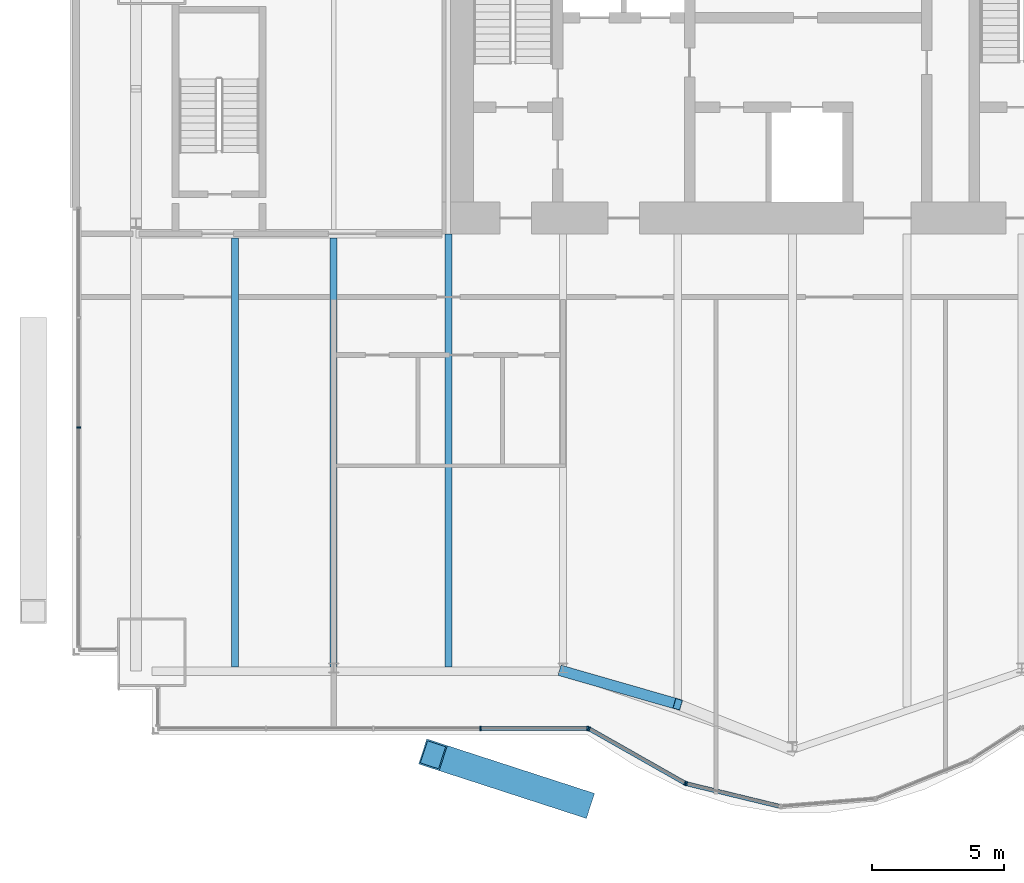
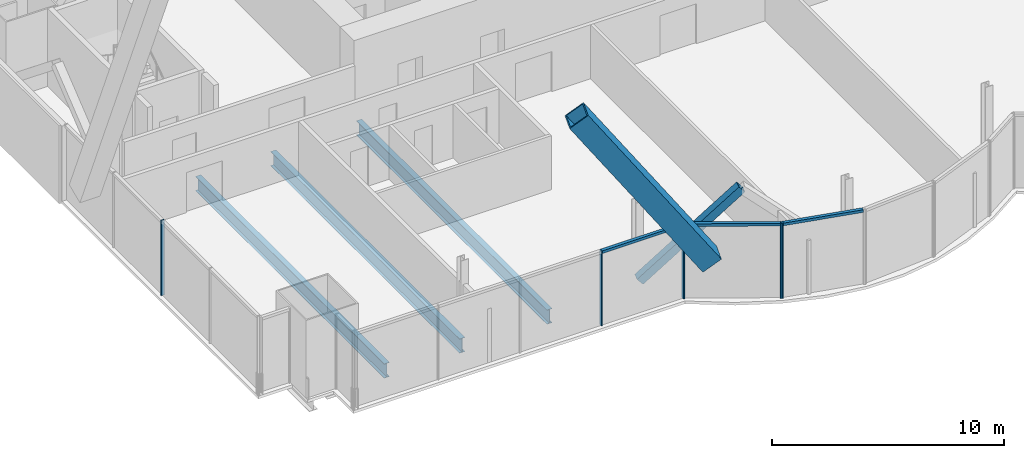
# One storey, part 7 of 24: 11 members, 3 beams, 3 elements without a shape of their own.
"""IFC4 building model written with IfcOpenShell, lengths in metres."""

import ifcopenshell
import ifcopenshell.guid

model = None  # the IFC model being written
_history = None  # IfcOwnerHistory: only IFC2X3 demands one
_inside = {}  # id of a spatial element -> (the spatial element, [elements in it])
_under = {}  # id of a project, library or spatial element -> (it, [spatial elements below it])
_declared = {}  # id of a project -> (the project, [libraries it declares])
_typed = {}  # id of a type object -> (the type object, [elements of that type])
_made_of = {}  # id of a material, layer set ... -> (it, [elements and type objects made of it])


def new_model(schema):
    """Start an empty IFC model of exactly this schema.

    Asked for "IFC4X3", IfcOpenShell would pick the latest addendum, in which some entities
    have other attributes; the version numbers below select the first issue.
    IFC2X3 requires an IfcOwnerHistory on every rooted entity: one is made here for all.
    """
    global model, _history
    if schema == "IFC4X3":
        model = ifcopenshell.file(schema_version=(4, 3, 0, 0))
    else:
        model = ifcopenshell.file(schema=schema)
    _inside.clear()
    _under.clear()
    _declared.clear()
    _typed.clear()
    _made_of.clear()
    _history = None
    if model.schema == "IFC2X3":
        org = make("IfcOrganization", Name="unknown")
        user = make(
            "IfcPersonAndOrganization",
            ThePerson=make("IfcPerson", FamilyName="unknown"),
            TheOrganization=org,
        )
        app = make(
            "IfcApplication",
            ApplicationDeveloper=org,
            Version="unknown",
            ApplicationFullName="unknown",
            ApplicationIdentifier="unknown",
        )
        _history = make(
            "IfcOwnerHistory",
            OwningUser=user,
            OwningApplication=app,
            ChangeAction="ADDED",
            CreationDate=0,
        )
    return model


def make(cls, **values):
    """One entity of the class cls with the attributes given. An attribute that is None is left unset."""
    return model.create_entity(
        cls, **{name: value for name, value in values.items() if value is not None}
    )


def rooted(cls, **values):
    """An entity with a GlobalId (a new one), such as an element, a storey or a relation."""
    return make(cls, GlobalId=ifcopenshell.guid.new(), OwnerHistory=_history, **values)


def si_unit(unit_type, name, prefix=None):
    """IfcSIUnit, for example si_unit("LENGTHUNIT", "METRE", prefix="MILLI")."""
    return make("IfcSIUnit", UnitType=unit_type, Prefix=prefix, Name=name)


def assignment(units):
    """IfcUnitAssignment: the units of a project."""
    return None if units is None else make("IfcUnitAssignment", Units=units)


def point(xyz):
    """IfcCartesianPoint."""
    return None if xyz is None else make("IfcCartesianPoint", Coordinates=xyz)


def direction(xyz):
    """IfcDirection."""
    return None if xyz is None else make("IfcDirection", DirectionRatios=xyz)


def frame(location, z_axis=None, x_axis=None):
    """IfcAxis2Placement3D, a coordinate frame: its origin and axes. An axis left out is left unset."""
    return make(
        "IfcAxis2Placement3D",
        Location=point(location),
        Axis=direction(z_axis),
        RefDirection=direction(x_axis),
    )


def frame_2d(location, x_axis=None):
    """IfcAxis2Placement2D, a coordinate frame in the plane: its origin and x axis."""
    return make(
        "IfcAxis2Placement2D", Location=point(location), RefDirection=direction(x_axis)
    )


def origin():
    """The frame at (0, 0, 0) with its axes left unset."""
    return frame((0.0, 0.0, 0.0))


def origin_2d():
    """The frame at (0, 0) in the plane with its x axis left unset."""
    return frame_2d((0.0, 0.0))


def place(relative_to, where):
    """IfcLocalPlacement: puts the frame where relative to a parent placement (None: the world)."""
    return make(
        "IfcLocalPlacement", PlacementRelTo=relative_to, RelativePlacement=where
    )


def context(
    kind, dimensions, precision=None, world=None, true_north=None, identifier=None
):
    """IfcGeometricRepresentationContext, for example the 3D "Model" context."""
    return make(
        "IfcGeometricRepresentationContext",
        ContextIdentifier=identifier,
        ContextType=kind,
        CoordinateSpaceDimension=dimensions,
        Precision=precision,
        WorldCoordinateSystem=world,
        TrueNorth=true_north,
    )


def subcontext(parent, identifier, kind, view, scale=None):
    """IfcGeometricRepresentationSubContext, for example "Body" below "Model"."""
    return make(
        "IfcGeometricRepresentationSubContext",
        ContextIdentifier=identifier,
        ContextType=kind,
        ParentContext=parent,
        TargetScale=scale,
        TargetView=view,
    )


def project(units=None, contexts=None):
    """IfcProject with its units and contexts."""
    return rooted(
        "IfcProject",
        Name="project",
        RepresentationContexts=contexts,
        UnitsInContext=assignment(units),
    )


def spatial(cls, under=None, at=None, **own):
    """A site, building, storey or space (cls), placed at a placement, below another one or the project."""
    s = rooted(cls, ObjectPlacement=at, **own)
    if under is not None:
        _under.setdefault(under.id(), (under, []))[1].append(s)
    return s


def profile(cls, at=None, kind="AREA", **sizes):
    """A parametric profile (cls). Its sizes go by their IFC names, for example OverallWidth=200.0."""
    return make(cls, ProfileType=kind, Position=at, **sizes)


def rectangle(**sizes):
    """IfcRectangleProfileDef."""
    return profile("IfcRectangleProfileDef", **sizes)


def hollow_rectangle(**sizes):
    """IfcRectangleHollowProfileDef."""
    return profile("IfcRectangleHollowProfileDef", **sizes)


def i_section(**sizes):
    """IfcIShapeProfileDef."""
    return profile("IfcIShapeProfileDef", **sizes)


def extrude(swept, where, along, depth):
    """IfcExtrudedAreaSolid: the profile swept, set in the frame where, extruded along a direction by depth."""
    return make(
        "IfcExtrudedAreaSolid",
        SweptArea=swept,
        Position=where,
        ExtrudedDirection=direction(along),
        Depth=depth,
    )


def shape(context_of_items, identifier, shape_type, items):
    """IfcShapeRepresentation: the items that make up one representation, for example the "Body"."""
    return make(
        "IfcShapeRepresentation",
        ContextOfItems=context_of_items,
        RepresentationIdentifier=identifier,
        RepresentationType=shape_type,
        Items=items,
    )


def material(Name=None, Category=None):
    """IfcMaterial."""
    return make("IfcMaterial", Name=Name, Category=Category)


def material_profile(
    of_material, cross_section, Name=None, Category=None, Priority=None
):
    """IfcMaterialProfile: a cross section and its material."""
    return make(
        "IfcMaterialProfile",
        Name=Name,
        Material=of_material,
        Profile=cross_section,
        Priority=Priority,
        Category=Category,
    )


def profile_set(profiles, Name=None, composite=None):
    """IfcMaterialProfileSet."""
    return make(
        "IfcMaterialProfileSet",
        Name=Name,
        MaterialProfiles=profiles,
        CompositeProfile=composite,
    )


def made_of(thing, what):
    """Note that an element or type object is made of a material, layer set ...; save() writes the relation."""
    if what is not None:
        _made_of.setdefault(what.id(), (what, []))[1].append(thing)
    return thing


def type_object(cls, material=None, **own):
    """A type object (cls), such as IfcWallType, which elements share."""
    return made_of(rooted(cls, **own), material)


def element(
    cls,
    number,
    at=None,
    inside=None,
    cuts=None,
    type_object=None,
    material=None,
    context=None,
    identifier="Body",
    shape_type=None,
    held_by="IfcProductDefinitionShape",
    body=None,
    shapes=None,
    **own,
):
    """One element of the class cls, such as IfcWall. Its Tag is "e" and its number.

    at: its placement. inside: the storey or other place that contains it. cuts: it is an
    opening in that element (IfcRelVoidsElement). A single representation is given by context,
    identifier, shape_type and body (its items); several are given by shapes. held_by: the class
    of the entity that holds the representations. save() writes the other relations.
    """
    e = rooted(cls, Tag="e%d" % number, ObjectPlacement=at, **own)
    if body is not None:
        shapes = [shape(context, identifier, shape_type, body)]
    if shapes is not None:
        e.Representation = make(held_by, Representations=shapes)
    if inside is not None:
        _inside.setdefault(inside.id(), (inside, []))[1].append(e)
    if cuts is not None:
        rooted(
            "IfcRelVoidsElement", RelatingBuildingElement=cuts, RelatedOpeningElement=e
        )
    if type_object is not None:
        _typed.setdefault(type_object.id(), (type_object, []))[1].append(e)
    return made_of(e, material)


def aggregate(whole, parts):
    """IfcRelAggregates: a whole, such as a stair, and the parts it consists of."""
    return rooted("IfcRelAggregates", RelatingObject=whole, RelatedObjects=parts)


def save(model, path):
    """Write the relations noted so far, then the file.

    IfcRelAggregates (storeys below a building ...), IfcRelContainedInSpatialStructure (elements
    in a storey), IfcRelDefinesByType, IfcRelAssociatesMaterial and IfcRelDeclares: one each for
    every whole, place, type object, material and project.
    """
    for whole, parts in _under.values():
        aggregate(whole, parts)
    for where, things in _inside.values():
        rooted(
            "IfcRelContainedInSpatialStructure",
            RelatedElements=things,
            RelatingStructure=where,
        )
    for kind, things in _typed.values():
        rooted("IfcRelDefinesByType", RelatedObjects=things, RelatingType=kind)
    for what, things in _made_of.values():
        rooted("IfcRelAssociatesMaterial", RelatedObjects=things, RelatingMaterial=what)
    for by, libraries in _declared.values():
        rooted("IfcRelDeclares", RelatingContext=by, RelatedDefinitions=libraries)
    model.write(path)


model = new_model("IFC4")

# Units and contexts
model_context = context("Model", 3, precision=1e-05, world=origin(), true_north=direction((0.0, 1.0)))
body_context = subcontext(model_context, "Body", "Model", "MODEL_VIEW")
ifc_project = project(units=[si_unit("LENGTHUNIT", "METRE"), si_unit("AREAUNIT", "SQUARE_METRE"), si_unit("VOLUMEUNIT", "CUBIC_METRE"), si_unit("PLANEANGLEUNIT", "RADIAN"), si_unit("MASSUNIT", "GRAM", prefix="KILO")], contexts=[model_context])

# Site, building, storey
site_placement = place(None, origin())
site = spatial("IfcSite", under=ifc_project, at=site_placement, CompositionType="ELEMENT")
building_placement = place(site_placement, origin())
building = spatial("IfcBuilding", under=site, at=building_placement, Name="Bicima Exchange Tower", CompositionType="ELEMENT")
storey_placement = place(building_placement, frame((0.0, 0.0, 211.39990234375)))
storey = spatial("IfcBuildingStorey", under=building, at=storey_placement, Name="L47", CompositionType="ELEMENT", Elevation=211.39990234375)

# Curtain wall, member
ifc_material_1 = material(Name="Anodised bronze aluminium", Category="aluminium")
curtain_wall_type_1 = type_object("IfcCurtainWallType", Name="End face glass wall", PredefinedType="NOTDEFINED", material=ifc_material_1)
curtain_wall_1_placement = place(storey_placement, origin())
curtain_wall_1 = element("IfcCurtainWall", 1, at=curtain_wall_1_placement, inside=storey, type_object=curtain_wall_type_1, Name="End face glass wall L47 run 2", PredefinedType="NOTDEFINED")
ifc_material_profile_1 = material_profile(ifc_material_1, rectangle(XDim=0.159912109375, YDim=0.06005859375, at=origin_2d()))
ifc_profile_set_1 = profile_set([ifc_material_profile_1], Name="Anodised bronze aluminium")
member_type_1 = type_object("IfcMemberType", Name="End face glass wall mullion 60 x 160", PredefinedType="MULLION", material=ifc_profile_set_1)
member_1_placement = place(storey_placement, frame((-35.77001953125, -20.343017578125, 0.0), z_axis=(0.0, 0.0, 1.0), x_axis=(1.0, 0.0, 0.0)))
member_1 = element("IfcMember", 2, at=member_1_placement, type_object=member_type_1, Name="End face glass wall mullion 3", PredefinedType="MULLION", context=body_context, shape_type="SweptSolid", body=[
    extrude(rectangle(XDim=0.159912109375, YDim=0.06005859375, at=origin_2d()), origin(), (0.0, 0.0, 1.0), 3.9501953125),
])
aggregate(curtain_wall_1, [member_1])

# Member
ifc_material_2 = material(Name="Steel ASTM A572 Gr 50", Category="steel")
ifc_material_profile_2 = material_profile(ifc_material_2, hollow_rectangle(XDim=1.0, YDim=1.0, WallThickness=0.06005859375, at=origin_2d()))
ifc_profile_set_2 = profile_set([ifc_material_profile_2], Name="Steel ASTM A572 Gr 50")
member_type_2 = type_object("IfcMemberType", Name="Exo mega brace BOX 1000x1000x60", PredefinedType="BRACE", material=ifc_profile_set_2)
member_2_placement = place(storey_placement, frame((-16.75, -34.579345703125, 3.85009765625), z_axis=(-0.544087292509, 0.176699301301, 0.820211177106), x_axis=(-0.308881999027, -0.951100368351, 0.0)))
element("IfcMember", 3, at=member_2_placement, inside=storey, type_object=member_type_2, Name="Exo mega brace front", PredefinedType="BRACE", context=body_context, shape_type="SweptSolid", body=[
    extrude(hollow_rectangle(XDim=1.0, YDim=1.0, WallThickness=0.06005859375, at=origin_2d()), origin(), (0.0, 0.0, 1.0), 10.26171875),
])

# Beams
ifc_material_3 = material(Name="Steel ASTM A992 Gr 50", Category="steel")
ifc_material_profile_3 = material_profile(ifc_material_3, i_section(OverallWidth=0.2666015625, OverallDepth=0.75439453125, WebThickness=0.01318359375, FlangeThickness=0.01708984375, at=origin_2d()))
ifc_profile_set_3 = profile_set([ifc_material_profile_3], Name="Steel ASTM A992 Gr 50")
beam_type = type_object("IfcBeamType", Name="Floor beam W30x99", PredefinedType="JOIST", material=ifc_profile_set_3)
for number, where, z_axis, x_axis, name in (
    (4, (-29.85009765625, -13.15234375, -0.527099609375), (0.0, -1.0, 0.0), (1.0, 0.0, 0.0), "Floor beam"),
    (5, (-26.10009765625, -13.15234375, -0.527099609375), (0.0, -1.0, 0.0), (1.0, 0.0, 0.0), "Floor beam"),
):
    element("IfcBeam", number, at=place(storey_placement, frame(where, z_axis=z_axis, x_axis=x_axis)), inside=storey, type_object=beam_type, Name=name, PredefinedType="JOIST", context=body_context, shape_type="SweptSolid", body=[
        extrude(i_section(OverallWidth=0.2666015625, OverallDepth=0.75439453125, WebThickness=0.01318359375, FlangeThickness=0.01708984375, at=origin_2d()), origin(), (0.0, 0.0, 1.0), 16.281005859375),
    ])
beam_placement = place(storey_placement, frame((-21.75, -13.0, -0.527099609375), z_axis=(0.0, -1.0, 0.0), x_axis=(1.0, 0.0, 0.0)))
element("IfcBeam", 6, at=beam_placement, inside=storey, type_object=beam_type, Name="Floor beam", PredefinedType="JOIST", context=body_context, shape_type="SweptSolid", body=[
    extrude(i_section(OverallWidth=0.2666015625, OverallDepth=0.75439453125, WebThickness=0.01318359375, FlangeThickness=0.01708984375, at=origin_2d()), origin(), (0.0, 0.0, 1.0), 16.433349609375),
])

# Curtain wall, members
curtain_wall_type_2 = type_object("IfcCurtainWallType", Name="Front glass wall", PredefinedType="NOTDEFINED", material=ifc_material_1)
curtain_wall_2_placement = place(storey_placement, origin())
curtain_wall_2 = element("IfcCurtainWall", 7, at=curtain_wall_2_placement, inside=storey, type_object=curtain_wall_type_2, Name="Front glass wall L47 run 5", PredefinedType="NOTDEFINED")
member_type_3 = type_object("IfcMemberType", Name="Front glass wall mullion 60 x 160", PredefinedType="MULLION", material=ifc_profile_set_1)
member_3_placement = place(storey_placement, frame((-20.531494140625, -31.76611328125, 0.0), z_axis=(0.0, 0.0, 1.0), x_axis=(0.0, 1.0, 0.0)))
member_3 = element("IfcMember", 8, at=member_3_placement, type_object=member_type_3, Name="Front glass wall mullion 4", PredefinedType="MULLION", context=body_context, shape_type="SweptSolid", body=[
    extrude(rectangle(XDim=0.159912109375, YDim=0.06005859375, at=origin_2d()), origin(), (0.0, 0.0, 1.0), 3.9501953125),
])
member_4_placement = place(storey_placement, frame((-16.462158203125, -31.76611328125, 0.0), z_axis=(0.0, 0.0, 1.0), x_axis=(0.0, 1.0, 0.0)))
member_4 = element("IfcMember", 9, at=member_4_placement, type_object=member_type_3, Name="Front glass wall mullion 5", PredefinedType="MULLION", context=body_context, shape_type="SweptSolid", body=[
    extrude(rectangle(XDim=0.159912109375, YDim=0.06005859375, at=origin_2d()), origin(), (0.0, 0.0, 1.0), 3.9501953125),
])

curtain_wall_3_placement = place(storey_placement, origin())
curtain_wall_3 = element("IfcCurtainWall", 10, at=curtain_wall_3_placement, inside=storey, type_object=curtain_wall_type_2, Name="Front glass wall L47 run 6", PredefinedType="NOTDEFINED")
member_5_placement = place(storey_placement, frame((-16.406005859375, -31.78076171875, 0.0), z_axis=(0.0, 0.0, 1.0), x_axis=(0.493395449343, 0.869805110681, 0.0)))
member_5 = element("IfcMember", 11, at=member_5_placement, type_object=member_type_3, Name="Front glass wall mullion 1", PredefinedType="MULLION", context=body_context, shape_type="SweptSolid", body=[
    extrude(rectangle(XDim=0.159912109375, YDim=0.06005859375, at=origin_2d()), origin(), (0.0, 0.0, 1.0), 3.9501953125),
])
member_6_placement = place(storey_placement, frame((-12.7734375, -33.84130859375, 0.0), z_axis=(0.0, 0.0, 1.0), x_axis=(0.493395449343, 0.869805110681, 0.0)))
member_6 = element("IfcMember", 12, at=member_6_placement, type_object=member_type_3, Name="Front glass wall mullion 2", PredefinedType="MULLION", context=body_context, shape_type="SweptSolid", body=[
    extrude(rectangle(XDim=0.159912109375, YDim=0.06005859375, at=origin_2d()), origin(), (0.0, 0.0, 1.0), 3.9501953125),
])
member_7_placement = place(storey_placement, frame((-12.718017578125, -33.86328125, 0.0), z_axis=(0.0, 0.0, 1.0), x_axis=(0.235681529503, 0.971830343553, 0.0)))
member_7 = element("IfcMember", 13, at=member_7_placement, type_object=member_type_3, Name="Front glass wall mullion 1", PredefinedType="MULLION", context=body_context, shape_type="SweptSolid", body=[
    extrude(rectangle(XDim=0.159912109375, YDim=0.06005859375, at=origin_2d()), origin(), (0.0, 0.0, 1.0), 3.9501953125),
])

# Member
ifc_material_profile_4 = material_profile(ifc_material_1, rectangle(XDim=0.159912109375, YDim=0.139892578125, at=origin_2d()))
ifc_profile_set_4 = profile_set([ifc_material_profile_4], Name="Anodised bronze aluminium")
member_type_4 = type_object("IfcMemberType", Name="Front glass wall transom 140 x 160", PredefinedType="USERDEFINED", material=ifc_profile_set_4)
member_8_placement = place(storey_placement, frame((-20.501708984375, -31.76611328125, 3.880126953125), z_axis=(1.0, 0.0, 0.0), x_axis=(0.0, 1.0, 0.0)))
member_8 = element("IfcMember", 14, at=member_8_placement, type_object=member_type_4, Name="Front glass wall transom 4.1", ObjectType="TRANSOM", PredefinedType="USERDEFINED", context=body_context, shape_type="SweptSolid", body=[
    extrude(rectangle(XDim=0.159912109375, YDim=0.139892578125, at=origin_2d()), origin(), (0.0, 0.0, 1.0), 4.009521484375),
])

aggregate(curtain_wall_2, [member_3, member_4, member_8])

member_9_placement = place(storey_placement, frame((-16.3798828125, -31.795654296875, 3.880126953125), z_axis=(0.869797371721, -0.49340909208, 0.0), x_axis=(0.49340909208, 0.869797371721, 0.0)))
member_9 = element("IfcMember", 15, at=member_9_placement, type_object=member_type_4, Name="Front glass wall transom 1.1", ObjectType="TRANSOM", PredefinedType="USERDEFINED", context=body_context, shape_type="SweptSolid", body=[
    extrude(rectangle(XDim=0.159912109375, YDim=0.139892578125, at=origin_2d()), origin(), (0.0, 0.0, 1.0), 4.1162109375),
])

member_10_placement = place(storey_placement, frame((-12.68896484375, -33.870361328125, 3.880126953125), z_axis=(0.971833557815, -0.235668275132, 0.0), x_axis=(0.235668275132, 0.971833557815, 0.0)))
member_10 = element("IfcMember", 16, at=member_10_placement, type_object=member_type_4, Name="Front glass wall transom 1.1", ObjectType="TRANSOM", PredefinedType="USERDEFINED", context=body_context, shape_type="SweptSolid", body=[
    extrude(rectangle(XDim=0.159912109375, YDim=0.139892578125, at=origin_2d()), origin(), (0.0, 0.0, 1.0), 3.583251953125),
])

aggregate(curtain_wall_3, [member_5, member_6, member_9, member_7, member_10])

ifc_material_profile_5 = material_profile(ifc_material_2, hollow_rectangle(XDim=0.406494140625, YDim=0.406494140625, WallThickness=0.0146484375, at=origin_2d()))
ifc_profile_set_5 = profile_set([ifc_material_profile_5], Name="Steel ASTM A572 Gr 50")
member_type_5 = type_object("IfcMemberType", Name="Mega brace HSS16x16x5/8", PredefinedType="BRACE", material=ifc_profile_set_5)
member_11_placement = place(storey_placement, frame((-17.39990234375, -29.595947265625, 0.0), z_axis=(0.71224719859, -0.204915481842, 0.671352048781), x_axis=(0.27648739579, 0.961017544049, 0.0)))
element("IfcMember", 17, at=member_11_placement, inside=storey, type_object=member_type_5, Name="Mega brace front", PredefinedType="BRACE", context=body_context, shape_type="SweptSolid", body=[
    extrude(hollow_rectangle(XDim=0.406494140625, YDim=0.406494140625, WallThickness=0.0146484375, at=origin_2d()), origin(), (0.0, 0.0, 1.0), 6.107177734375),
])

save(model, "model.ifc")
